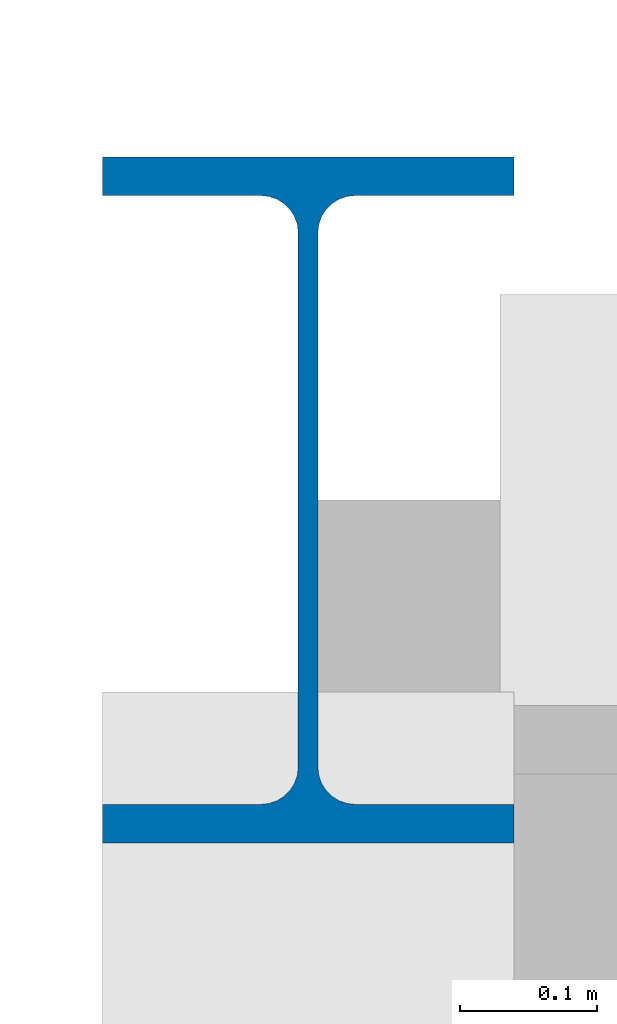
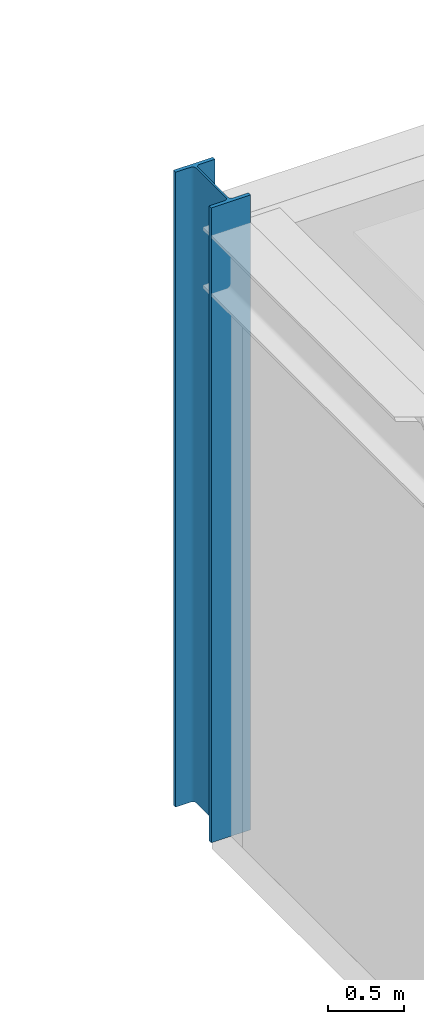
# One storey, part 14 of 97: 1 column.
"""IFC4 building model written with IfcOpenShell, lengths in metres."""

from ifc_helpers import new_model, si_unit, direction, frame, origin, origin_2d, place, context, subcontext, project, spatial, i_section, extrude, material, material_profile, profile_set, type_object, element, save


model = new_model("IFC4")

# Units and contexts
model_context = context("Model", 3, precision=1e-05, world=origin(), true_north=direction((0.0, 1.0)))
body_context = subcontext(model_context, "Body", "Model", "MODEL_VIEW")
ifc_project = project(units=[si_unit("LENGTHUNIT", "METRE"), si_unit("AREAUNIT", "SQUARE_METRE"), si_unit("VOLUMEUNIT", "CUBIC_METRE"), si_unit("PLANEANGLEUNIT", "RADIAN"), si_unit("MASSUNIT", "GRAM", prefix="KILO")], contexts=[model_context])

# Site, building, storey
site_placement = place(None, origin())
site = spatial("IfcSite", under=ifc_project, at=site_placement, CompositionType="ELEMENT")
building_placement = place(site_placement, origin())
building = spatial("IfcBuilding", under=site, at=building_placement, Name="Varnklinge Art Gallery", CompositionType="ELEMENT")
storey_placement = place(building_placement, origin())
storey = spatial("IfcBuildingStorey", under=building, at=storey_placement, Name="L00", CompositionType="ELEMENT", Elevation=0.0)

# Column
ifc_material = material(Name="Steel S355", Category="steel")
ifc_material_profile = material_profile(ifc_material, i_section(OverallWidth=0.300048828125, OverallDepth=0.5, WebThickness=0.014404296875, FlangeThickness=0.028076171875, FilletRadius=0.027099609375, at=origin_2d()), Name="HEB 500")
ifc_profile_set = profile_set([ifc_material_profile], Name="Steel S355")
column_type = type_object("IfcColumnType", Name="COL-E1", PredefinedType="COLUMN", material=ifc_profile_set)
column_placement = place(storey_placement, frame((114.39990234375, 113.5, 0.0), z_axis=(0.0, 0.0, 1.0), x_axis=(1.0, 0.0, 0.0)))
element("IfcColumn", 1, at=column_placement, inside=storey, type_object=column_type, Name="L00 Column V1C-1-8", PredefinedType="COLUMN", context=body_context, shape_type="SweptSolid", body=[
    extrude(i_section(OverallWidth=0.300048828125, OverallDepth=0.5, WebThickness=0.014404296875, FlangeThickness=0.028076171875, FilletRadius=0.027099609375, at=origin_2d()), origin(), (0.0, 0.0, 1.0), 5.10009765625),
])

save(model, "model.ifc")
